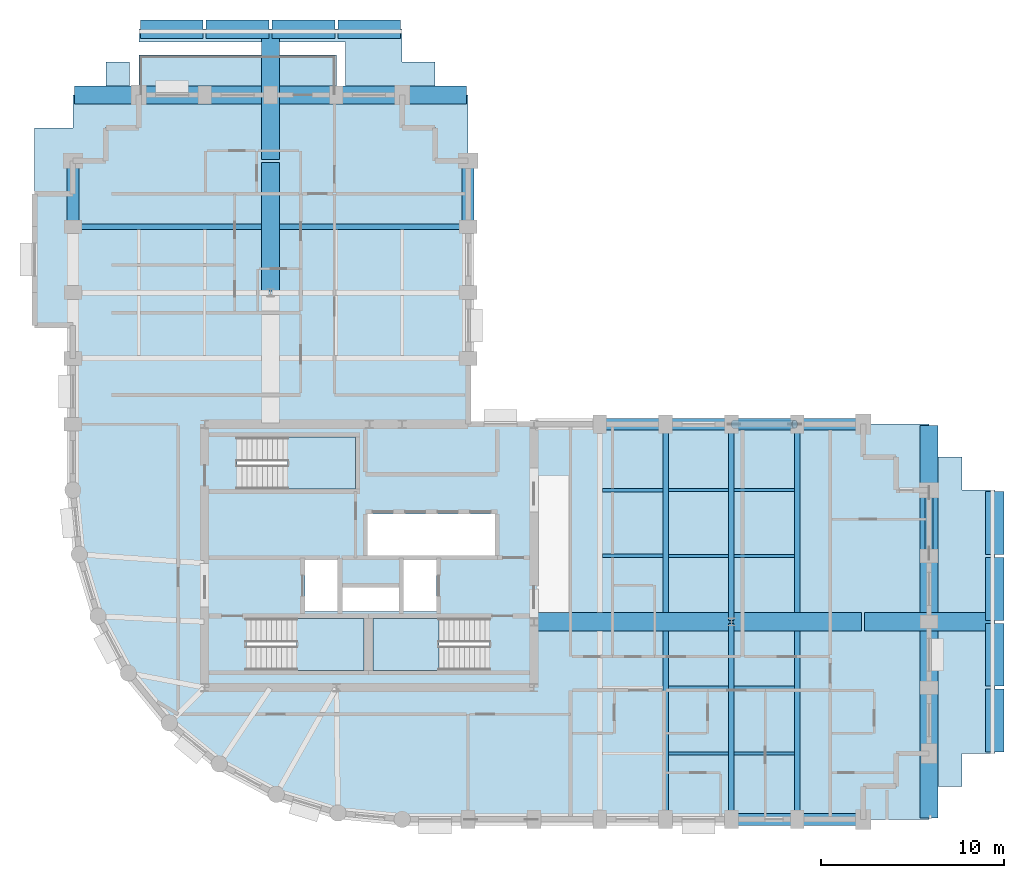
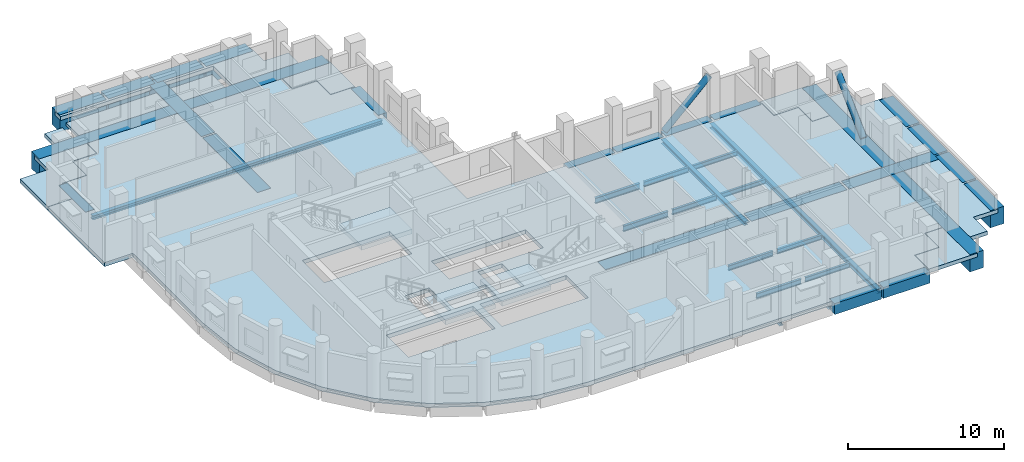
# One storey, part 2 of 10: 40 beams, 8 slabs, 2 members, 3 elements without a shape of their own.
"""IFC4 building model written with IfcOpenShell, lengths in metres."""

from ifc_helpers import new_model, si_unit, direction, frame, origin, origin_2d, place, context, subcontext, project, spatial, polyline, rectangle, hollow_circle, i_section, outline, extrude, material, layer, layer_set, material_profile, profile_set, type_object, element, aggregate, save


model = new_model("IFC4")

# Units and contexts
model_context = context("Model", 3, precision=1e-05, world=origin(), true_north=direction((0.0, 1.0)))
body_context = subcontext(model_context, "Body", "Model", "MODEL_VIEW")
ifc_project = project(units=[si_unit("LENGTHUNIT", "METRE"), si_unit("AREAUNIT", "SQUARE_METRE"), si_unit("VOLUMEUNIT", "CUBIC_METRE"), si_unit("PLANEANGLEUNIT", "RADIAN"), si_unit("MASSUNIT", "GRAM", prefix="KILO")], contexts=[model_context])

# Site, building, storey
site_placement = place(None, origin())
site = spatial("IfcSite", under=ifc_project, at=site_placement, CompositionType="ELEMENT")
building_placement = place(site_placement, origin())
building = spatial("IfcBuilding", under=site, at=building_placement, Name="Solnavia Interchange Tower", CompositionType="ELEMENT")
storey_placement = place(building_placement, frame((0.0, 0.0, 127.60009765625)))
storey = spatial("IfcBuildingStorey", under=building, at=storey_placement, Name="L31", CompositionType="ELEMENT", Elevation=127.60009765625)

# Beams
ifc_material_1 = material(Name="Steel S355", Category="steel")
ifc_material_profile_1 = material_profile(ifc_material_1, i_section(OverallWidth=0.169921875, OverallDepth=0.360107421875, WebThickness=0.008056640625, FlangeThickness=0.0126953125, FilletRadius=0.01806640625, at=origin_2d()), Name="IPE 360")
ifc_profile_set_1 = profile_set([ifc_material_profile_1], Name="Steel S355")
beam_type_1 = type_object("IfcBeamType", Name="Beam-Joist-IPE360", PredefinedType="JOIST", material=ifc_profile_set_1)
for number, where, z_axis, x_axis, name in (
    (1, (43.35009765625, 7.199951171875, -0.5), (1.0, 0.0, 0.0), (0.0, 1.0, 0.0), "JST-L31-E03 East wing secondary joist"),
    (2, (43.35009765625, 10.800048828125, -0.5), (1.0, 0.0, 0.0), (0.0, 1.0, 0.0), "JST-L31-E06 East wing secondary joist"),
    (3, (43.35009765625, 18.0, -0.5), (1.0, 0.0, 0.0), (0.0, 1.0, 0.0), "JST-L31-E09 East wing secondary joist"),
    (4, (43.35009765625, 21.60009765625, -0.5), (1.0, 0.0, 0.0), (0.0, 1.0, 0.0), "JST-L31-E12 East wing secondary joist"),
):
    element("IfcBeam", number, at=place(storey_placement, frame(where, z_axis=z_axis, x_axis=x_axis)), inside=storey, type_object=beam_type_1, Name=name, PredefinedType="JOIST", context=body_context, shape_type="SweptSolid", body=[
        extrude(i_section(OverallWidth=0.169921875, OverallDepth=0.360107421875, WebThickness=0.008056640625, FlangeThickness=0.0126953125, FilletRadius=0.01806640625, at=origin_2d()), origin(), (0.0, 0.0, 1.0), 3.2998046875),
    ])
ifc_material_profile_2 = material_profile(ifc_material_1, i_section(OverallWidth=0.179931640625, OverallDepth=0.39990234375, WebThickness=0.008544921875, FlangeThickness=0.013427734375, FilletRadius=0.02099609375, at=origin_2d()), Name="IPE 400")
ifc_profile_set_2 = profile_set([ifc_material_profile_2], Name="Steel S355")
beam_type_2 = type_object("IfcBeamType", Name="Beam-Joist-IPE400", PredefinedType="JOIST", material=ifc_profile_set_2)
for number, where, z_axis, x_axis, name in (
    (5, (39.75, 7.199951171875, -0.52001953125), (1.0, 0.0, 0.0), (0.0, 1.0, 0.0), "JST-L31-E02 East wing secondary joist"),
    (6, (39.75, 10.800048828125, -0.52001953125), (1.0, 0.0, 0.0), (0.0, 1.0, 0.0), "JST-L31-E05 East wing secondary joist"),
    (7, (39.75, 18.0, -0.52001953125), (1.0, 0.0, 0.0), (0.0, 1.0, 0.0), "JST-L31-E08 East wing secondary joist"),
    (8, (39.75, 21.60009765625, -0.52001953125), (1.0, 0.0, 0.0), (0.0, 1.0, 0.0), "JST-L31-E11 East wing secondary joist"),
):
    element("IfcBeam", number, at=place(storey_placement, frame(where, z_axis=z_axis, x_axis=x_axis)), inside=storey, type_object=beam_type_2, Name=name, PredefinedType="JOIST", context=body_context, shape_type="SweptSolid", body=[
        extrude(i_section(OverallWidth=0.179931640625, OverallDepth=0.39990234375, WebThickness=0.008544921875, FlangeThickness=0.013427734375, FilletRadius=0.02099609375, at=origin_2d()), origin(), (0.0, 0.0, 1.0), 3.300048828125),
    ])
ifc_material_profile_3 = material_profile(ifc_material_1, i_section(OverallWidth=0.18994140625, OverallDepth=0.449951171875, WebThickness=0.009521484375, FlangeThickness=0.0146484375, FilletRadius=0.02099609375, at=origin_2d()), Name="IPE 450")
ifc_profile_set_3 = profile_set([ifc_material_profile_3], Name="Steel S355")
beam_type_3 = type_object("IfcBeamType", Name="Beam-Joist-IPE450", PredefinedType="JOIST", material=ifc_profile_set_3)
for number, where, z_axis, x_axis, name in (
    (9, (36.14990234375, 18.0, -0.545166015625), (1.0, 0.0, 0.0), (0.0, 1.0, 0.0), "JST-L31-E07 East wing secondary joist"),
    (10, (36.14990234375, 21.60009765625, -0.545166015625), (1.0, 0.0, 0.0), (0.0, 1.0, 0.0), "JST-L31-E10 East wing secondary joist"),
):
    element("IfcBeam", number, at=place(storey_placement, frame(where, z_axis=z_axis, x_axis=x_axis)), inside=storey, type_object=beam_type_3, Name=name, PredefinedType="JOIST", context=body_context, shape_type="SweptSolid", body=[
        extrude(i_section(OverallWidth=0.18994140625, OverallDepth=0.449951171875, WebThickness=0.009521484375, FlangeThickness=0.0146484375, FilletRadius=0.02099609375, at=origin_2d()), origin(), (0.0, 0.0, 1.0), 3.300048828125),
    ])
ifc_material_profile_4 = material_profile(ifc_material_1, i_section(OverallWidth=0.300048828125, OverallDepth=0.31005859375, WebThickness=0.009033203125, FlangeThickness=0.015380859375, FilletRadius=0.027099609375, at=origin_2d()), Name="HEA 320")
ifc_profile_set_4 = profile_set([ifc_material_profile_4], Name="Steel S355")
beam_type_4 = type_object("IfcBeamType", Name="Beam-Primary-HEA320", PredefinedType="BEAM", material=ifc_profile_set_4)
for number, where, z_axis, x_axis, name in (
    (11, (43.199951171875, 3.679931640625, -0.47509765625), (0.0, 1.0, 0.0), (-1.0, 0.0, 0.0), "GRD-L31-EW03 East wing primary floor girder"),
    (12, (43.199951171875, 14.47998046875, -0.47509765625), (0.0, 1.0, 0.0), (-1.0, 0.0, 0.0), "GRD-L31-EW04 East wing primary floor girder"),
):
    element("IfcBeam", number, at=place(storey_placement, frame(where, z_axis=z_axis, x_axis=x_axis)), inside=storey, type_object=beam_type_4, Name=name, PredefinedType="BEAM", context=body_context, shape_type="SweptSolid", body=[
        extrude(i_section(OverallWidth=0.300048828125, OverallDepth=0.31005859375, WebThickness=0.009033203125, FlangeThickness=0.015380859375, FilletRadius=0.027099609375, at=origin_2d()), origin(), (0.0, 0.0, 1.0), 10.64013671875),
    ])
beam_1_placement = place(storey_placement, frame((7.280029296875, 36.0, -0.47509765625), z_axis=(1.0, 0.0, 0.0), x_axis=(0.0, 1.0, 0.0)))
element("IfcBeam", 13, at=beam_1_placement, inside=storey, type_object=beam_type_4, Name="GRD-L31-NW09 North wing primary floor girder", PredefinedType="BEAM", context=body_context, shape_type="SweptSolid", body=[
    extrude(i_section(OverallWidth=0.300048828125, OverallDepth=0.31005859375, WebThickness=0.009033203125, FlangeThickness=0.015380859375, FilletRadius=0.027099609375, at=origin_2d()), origin(), (0.0, 0.0, 1.0), 21.43994140625),
])
ifc_material_profile_5 = material_profile(ifc_material_1, i_section(OverallWidth=0.300048828125, OverallDepth=0.35009765625, WebThickness=0.010009765625, FlangeThickness=0.017578125, FilletRadius=0.027099609375, at=origin_2d()), Name="HEA 360")
ifc_profile_set_5 = profile_set([ifc_material_profile_5], Name="Steel S355")
beam_type_5 = type_object("IfcBeamType", Name="Beam-Primary-HEA360", PredefinedType="BEAM", material=ifc_profile_set_5)
for number, where, z_axis, x_axis, name in (
    (14, (39.60009765625, 3.679931640625, -0.4951171875), (0.0, 1.0, 0.0), (-1.0, 0.0, 0.0), "GRD-L31-EW02 East wing primary floor girder"),
    (15, (46.800048828125, 3.679931640625, -0.4951171875), (0.0, 1.0, 0.0), (-1.0, 0.0, 0.0), "GRD-L31-EW05 East wing primary floor girder"),
):
    element("IfcBeam", number, at=place(storey_placement, frame(where, z_axis=z_axis, x_axis=x_axis)), inside=storey, type_object=beam_type_5, Name=name, PredefinedType="BEAM", context=body_context, shape_type="SweptSolid", body=[
        extrude(i_section(OverallWidth=0.300048828125, OverallDepth=0.35009765625, WebThickness=0.010009765625, FlangeThickness=0.017578125, FilletRadius=0.027099609375, at=origin_2d()), origin(), (0.0, 0.0, 1.0), 21.440185546875),
    ])
ifc_material_2 = material(Name="Concrete C50/60", Category="concrete")
ifc_material_profile_6 = material_profile(ifc_material_2, rectangle(XDim=0.64990234375, YDim=0.85009765625, at=origin_2d()), Name="RC 650x850")
ifc_profile_set_6 = profile_set([ifc_material_profile_6], Name="Concrete C50/60")
beam_type_6 = type_object("IfcBeamType", Name="Beam-Spandrel-RC650x850", PredefinedType="SPANDREL", material=ifc_profile_set_6)
beam_2_placement = place(storey_placement, frame((43.280029296875, 3.60009765625, -0.425048828125), z_axis=(1.0, 0.0, 0.0), x_axis=(0.0, 1.0, 0.0)))
element("IfcBeam", 16, at=beam_2_placement, inside=storey, type_object=beam_type_6, Name="SPB-L31-14 Framed-tube perimeter spandrel beam", PredefinedType="SPANDREL", context=body_context, shape_type="SweptSolid", body=[
    extrude(rectangle(XDim=0.64990234375, YDim=0.85009765625, at=origin_2d()), origin(), (0.0, 0.0, 1.0), 3.43994140625),
])
for number, where, z_axis, x_axis, name in (
    (17, (46.8798828125, 3.60009765625, -0.425048828125), (1.0, 0.0, 0.0), (0.0, 1.0, 0.0), "SPB-L31-15 Framed-tube perimeter spandrel beam"),
    (18, (50.320068359375, 25.199951171875, -0.425048828125), (-1.0, 0.0, 0.0), (0.0, -1.0, 0.0), "SPB-L31-16 Framed-tube perimeter spandrel beam"),
):
    element("IfcBeam", number, at=place(storey_placement, frame(where, z_axis=z_axis, x_axis=x_axis)), inside=storey, type_object=beam_type_6, Name=name, PredefinedType="SPANDREL", context=body_context, shape_type="SweptSolid", body=[
        extrude(rectangle(XDim=0.64990234375, YDim=0.85009765625, at=origin_2d()), origin(), (0.0, 0.0, 1.0), 3.440185546875),
    ])
beam_3_placement = place(storey_placement, frame((46.719970703125, 25.199951171875, -0.425048828125), z_axis=(-1.0, 0.0, 0.0), x_axis=(0.0, -1.0, 0.0)))
element("IfcBeam", 19, at=beam_3_placement, inside=storey, type_object=beam_type_6, Name="SPB-L31-17 Framed-tube perimeter spandrel beam", PredefinedType="SPANDREL", context=body_context, shape_type="SweptSolid", body=[
    extrude(rectangle(XDim=0.64990234375, YDim=0.85009765625, at=origin_2d()), origin(), (0.0, 0.0, 1.0), 3.43994140625),
])
beam_4_placement = place(storey_placement, frame((43.1201171875, 25.199951171875, -0.425048828125), z_axis=(-1.0, 0.0, 0.0), x_axis=(0.0, -1.0, 0.0)))
element("IfcBeam", 20, at=beam_4_placement, inside=storey, type_object=beam_type_6, Name="SPB-L31-18 Framed-tube perimeter spandrel beam", PredefinedType="SPANDREL", context=body_context, shape_type="SweptSolid", body=[
    extrude(rectangle(XDim=0.64990234375, YDim=0.85009765625, at=origin_2d()), origin(), (0.0, 0.0, 1.0), 3.440185546875),
])
for number, where, z_axis, x_axis, name in (
    (21, (39.52001953125, 25.199951171875, -0.425048828125), (-1.0, 0.0, 0.0), (0.0, -1.0, 0.0), "SPB-L31-19 Framed-tube perimeter spandrel beam"),
    (22, (28.800048828125, 36.080078125, -0.425048828125), (0.0, 1.0, 0.0), (-1.0, 0.0, 0.0), "SPB-L31-23 Framed-tube perimeter spandrel beam"),
    (23, (7.199951171875, 39.52001953125, -0.425048828125), (0.0, -1.0, 0.0), (1.0, 0.0, 0.0), "SPB-L31-24 Framed-tube perimeter spandrel beam"),
):
    element("IfcBeam", number, at=place(storey_placement, frame(where, z_axis=z_axis, x_axis=x_axis)), inside=storey, type_object=beam_type_6, Name=name, PredefinedType="SPANDREL", context=body_context, shape_type="SweptSolid", body=[
        extrude(rectangle(XDim=0.64990234375, YDim=0.85009765625, at=origin_2d()), origin(), (0.0, 0.0, 1.0), 3.43994140625),
    ])
ifc_material_3 = material(Name="Concrete C60/75", Category="concrete")
ifc_material_profile_7 = material_profile(ifc_material_3, rectangle(XDim=1.0, YDim=1.35009765625, at=origin_2d()), Name="RC 1000x1350")
ifc_profile_set_7 = profile_set([ifc_material_profile_7], Name="Concrete C60/75")
beam_type_7 = type_object("IfcBeamType", Name="Beam-Transfer-RC1000x1350", PredefinedType="BEAM", material=ifc_profile_set_7)
beam_5_placement = place(storey_placement, frame((32.47998046875, 14.39990234375, -0.675048828125), z_axis=(1.0, 0.0, 0.0), x_axis=(0.0, 1.0, 0.0)))
element("IfcBeam", 24, at=beam_5_placement, inside=storey, type_object=beam_type_7, Name="TRB-L31-01 East setback spine transfer girder", PredefinedType="BEAM", context=body_context, shape_type="SweptSolid", body=[
    extrude(rectangle(XDim=1.0, YDim=1.35009765625, at=origin_2d()), origin(), (0.0, 0.0, 1.0), 10.64013671875),
])
for number, where, z_axis, x_axis, name in (
    (25, (43.280029296875, 14.39990234375, -0.675048828125), (1.0, 0.0, 0.0), (0.0, 1.0, 0.0), "TRB-L31-02 East setback spine transfer girder"),
    (26, (50.47998046875, 14.39990234375, -0.675048828125), (1.0, 0.0, 0.0), (0.0, 1.0, 0.0), "TRB-L31-03 East setback spine transfer girder"),
):
    element("IfcBeam", number, at=place(storey_placement, frame(where, z_axis=z_axis, x_axis=x_axis)), inside=storey, type_object=beam_type_7, Name=name, PredefinedType="BEAM", context=body_context, shape_type="SweptSolid", body=[
        extrude(rectangle(XDim=1.0, YDim=1.35009765625, at=origin_2d()), origin(), (0.0, 0.0, 1.0), 7.0400390625),
    ])
for number, where, z_axis, x_axis, name in (
    (27, (54.0, 3.679931640625, -0.675048828125), (0.0, 1.0, 0.0), (-1.0, 0.0, 0.0), "TRB-L31-04 East setback perimeter transfer girder"),
    (28, (54.0, 14.47998046875, -0.675048828125), (0.0, 1.0, 0.0), (-1.0, 0.0, 0.0), "TRB-L31-05 East setback perimeter transfer girder"),
):
    element("IfcBeam", number, at=place(storey_placement, frame(where, z_axis=z_axis, x_axis=x_axis)), inside=storey, type_object=beam_type_7, Name=name, PredefinedType="BEAM", context=body_context, shape_type="SweptSolid", body=[
        extrude(rectangle(XDim=1.0, YDim=1.35009765625, at=origin_2d()), origin(), (0.0, 0.0, 1.0), 10.64013671875),
    ])
beam_6_placement = place(storey_placement, frame((57.60009765625, 7.280029296875, -0.675048828125), z_axis=(0.0, 1.0, 0.0), x_axis=(-1.0, 0.0, 0.0)))
element("IfcBeam", 29, at=beam_6_placement, inside=storey, type_object=beam_type_7, Name="TRB-L31-06 East setback ledge edge beam", PredefinedType="BEAM", context=body_context, shape_type="SweptSolid", body=[
    extrude(rectangle(XDim=1.0, YDim=1.35009765625, at=origin_2d()), origin(), (0.0, 0.0, 1.0), 3.43994140625),
])
beam_7_placement = place(storey_placement, frame((57.60009765625, 10.8798828125, -0.675048828125), z_axis=(0.0, 1.0, 0.0), x_axis=(-1.0, 0.0, 0.0)))
element("IfcBeam", 30, at=beam_7_placement, inside=storey, type_object=beam_type_7, Name="TRB-L31-07 East setback ledge edge beam", PredefinedType="BEAM", context=body_context, shape_type="SweptSolid", body=[
    extrude(rectangle(XDim=1.0, YDim=1.35009765625, at=origin_2d()), origin(), (0.0, 0.0, 1.0), 3.440185546875),
])
for number, where, z_axis, x_axis, name in (
    (31, (57.60009765625, 14.47998046875, -0.675048828125), (0.0, 1.0, 0.0), (-1.0, 0.0, 0.0), "TRB-L31-08 East setback ledge edge beam"),
    (32, (57.60009765625, 18.080078125, -0.675048828125), (0.0, 1.0, 0.0), (-1.0, 0.0, 0.0), "TRB-L31-09 East setback ledge edge beam"),
):
    element("IfcBeam", number, at=place(storey_placement, frame(where, z_axis=z_axis, x_axis=x_axis)), inside=storey, type_object=beam_type_7, Name=name, PredefinedType="BEAM", context=body_context, shape_type="SweptSolid", body=[
        extrude(rectangle(XDim=1.0, YDim=1.35009765625, at=origin_2d()), origin(), (0.0, 0.0, 1.0), 3.43994140625),
    ])
for number, where, z_axis, x_axis, name in (
    (33, (18.0, 32.47998046875, -0.675048828125), (0.0, 1.0, 0.0), (-1.0, 0.0, 0.0), "TRB-L31-11 North setback spine transfer girder"),
    (34, (18.0, 39.679931640625, -0.675048828125), (0.0, 1.0, 0.0), (-1.0, 0.0, 0.0), "TRB-L31-12 North setback spine transfer girder"),
):
    element("IfcBeam", number, at=place(storey_placement, frame(where, z_axis=z_axis, x_axis=x_axis)), inside=storey, type_object=beam_type_7, Name=name, PredefinedType="BEAM", context=body_context, shape_type="SweptSolid", body=[
        extrude(rectangle(XDim=1.0, YDim=1.35009765625, at=origin_2d()), origin(), (0.0, 0.0, 1.0), 7.0400390625),
    ])
for number, where, z_axis, x_axis, name in (
    (35, (7.280029296875, 43.199951171875, -0.675048828125), (1.0, 0.0, 0.0), (0.0, 1.0, 0.0), "TRB-L31-13 North setback perimeter transfer girder"),
    (36, (18.080078125, 43.199951171875, -0.675048828125), (1.0, 0.0, 0.0), (0.0, 1.0, 0.0), "TRB-L31-14 North setback perimeter transfer girder"),
):
    element("IfcBeam", number, at=place(storey_placement, frame(where, z_axis=z_axis, x_axis=x_axis)), inside=storey, type_object=beam_type_7, Name=name, PredefinedType="BEAM", context=body_context, shape_type="SweptSolid", body=[
        extrude(rectangle(XDim=1.0, YDim=1.35009765625, at=origin_2d()), origin(), (0.0, 0.0, 1.0), 10.639892578125),
    ])
beam_8_placement = place(storey_placement, frame((10.8798828125, 46.800048828125, -0.675048828125), z_axis=(1.0, 0.0, 0.0), x_axis=(0.0, 1.0, 0.0)))
element("IfcBeam", 37, at=beam_8_placement, inside=storey, type_object=beam_type_7, Name="TRB-L31-15 North setback ledge edge beam", PredefinedType="BEAM", context=body_context, shape_type="SweptSolid", body=[
    extrude(rectangle(XDim=1.0, YDim=1.35009765625, at=origin_2d()), origin(), (0.0, 0.0, 1.0), 3.440185546875),
])
for number, where, z_axis, x_axis, name in (
    (38, (14.47998046875, 46.800048828125, -0.675048828125), (1.0, 0.0, 0.0), (0.0, 1.0, 0.0), "TRB-L31-16 North setback ledge edge beam"),
    (39, (18.080078125, 46.800048828125, -0.675048828125), (1.0, 0.0, 0.0), (0.0, 1.0, 0.0), "TRB-L31-17 North setback ledge edge beam"),
):
    element("IfcBeam", number, at=place(storey_placement, frame(where, z_axis=z_axis, x_axis=x_axis)), inside=storey, type_object=beam_type_7, Name=name, PredefinedType="BEAM", context=body_context, shape_type="SweptSolid", body=[
        extrude(rectangle(XDim=1.0, YDim=1.35009765625, at=origin_2d()), origin(), (0.0, 0.0, 1.0), 3.43994140625),
    ])
beam_9_placement = place(storey_placement, frame((21.679931640625, 46.800048828125, -0.675048828125), z_axis=(1.0, 0.0, 0.0), x_axis=(0.0, 1.0, 0.0)))
element("IfcBeam", 40, at=beam_9_placement, inside=storey, type_object=beam_type_7, Name="TRB-L31-18 North setback ledge edge beam", PredefinedType="BEAM", context=body_context, shape_type="SweptSolid", body=[
    extrude(rectangle(XDim=1.0, YDim=1.35009765625, at=origin_2d()), origin(), (0.0, 0.0, 1.0), 3.440185546875),
])

# Members
ifc_material_4 = material(Name="Steel S460", Category="steel")
ifc_material_profile_8 = material_profile(ifc_material_4, hollow_circle(Radius=0.228515625, WallThickness=0.02001953125, at=origin_2d()), Name="CHS 457x20")
ifc_profile_set_8 = profile_set([ifc_material_profile_8], Name="Steel S460")
member_type = type_object("IfcMemberType", Name="Brace-Perim-CHS457", PredefinedType="BRACE", material=ifc_profile_set_8)
member_1_placement = place(storey_placement, frame((54.0, 18.139892578125, 0.179931640625), z_axis=(0.0, 0.721096918576, 0.692834203847), x_axis=(-1.0, 0.0, 0.0)))
element("IfcMember", 41, at=member_1_placement, inside=storey, type_object=member_type, Name="BRC-L31-02 Perimeter tube diagonal brace", PredefinedType="BRACE", context=body_context, shape_type="SweptSolid", body=[
    extrude(hollow_circle(Radius=0.228515625, WallThickness=0.02001953125, at=origin_2d()), origin(), (0.0, 0.0, 1.0), 4.604248046875),
])
member_2_placement = place(storey_placement, frame((43.340087890625, 25.199951171875, 0.179931640625), z_axis=(0.721071463745, 0.0, 0.69286069608), x_axis=(0.0, 1.0, 0.0)))
element("IfcMember", 42, at=member_2_placement, inside=storey, type_object=member_type, Name="BRC-L31-03 Perimeter tube diagonal brace", PredefinedType="BRACE", context=body_context, shape_type="SweptSolid", body=[
    extrude(hollow_circle(Radius=0.228515625, WallThickness=0.02001953125, at=origin_2d()), origin(), (0.0, 0.0, 1.0), 4.60400390625),
])

# Slabs
ifc_material_5 = material(Name="Concrete C40/50", Category="concrete")
ifc_layer_1 = layer(ifc_material_5, 0.300048828125)
ifc_layer_set_1 = layer_set([ifc_layer_1], Name="Concrete C40/50")
slab_type_1 = type_object("IfcSlabType", Name="Slab-Roof-300", PredefinedType="ROOF", material=ifc_layer_set_1)
slab_1_placement = place(storey_placement, frame((0.0, 0.0, -0.300048828125)))
element("IfcSlab", 43, at=slab_1_placement, inside=storey, type_object=slab_type_1, Name="ROF-L31-01 Setback maintenance roof slab", PredefinedType="ROOF", context=body_context, shape_type="SweptSolid", body=[
    extrude(outline(polyline([(54.0, 23.39990234375), (55.800048828125, 23.39990234375), (55.800048828125, 21.60009765625), (57.60009765625, 21.60009765625), (57.60009765625, 7.199951171875), (55.800048828125, 7.199951171875), (55.800048828125, 5.39990234375), (54.0, 5.39990234375), (54.0, 3.60009765625), (50.419921875, 3.60009765625), (50.419921875, 5.3798828125), (52.219970703125, 5.3798828125), (52.219970703125, 7.179931640625), (54.02001953125, 7.179931640625), (54.02001953125, 21.6201171875), (52.219970703125, 21.6201171875), (52.219970703125, 23.419921875), (50.419921875, 23.419921875), (50.419921875, 25.199951171875), (54.0, 25.199951171875), (54.0, 23.39990234375)])), origin(), (0.0, 0.0, 1.0), 0.300048828125),
])
slab_2_placement = place(storey_placement, frame((0.0, 0.0, -0.300048828125)))
element("IfcSlab", 44, at=slab_2_placement, inside=storey, type_object=slab_type_1, Name="ROF-L31-02 Setback maintenance roof slab", PredefinedType="ROOF", context=body_context, shape_type="SweptSolid", body=[
    extrude(outline(polyline([(10.800048828125, 46.800048828125), (25.199951171875, 46.800048828125), (25.199951171875, 45.0), (27.0, 45.0), (27.0, 43.199951171875), (28.800048828125, 43.199951171875), (28.800048828125, 39.6201171875), (27.02001953125, 39.6201171875), (27.02001953125, 41.419921875), (25.219970703125, 41.419921875), (25.219970703125, 43.219970703125), (22.10009765625, 43.219970703125), (22.10009765625, 46.10009765625), (10.800048828125, 46.10009765625), (10.800048828125, 46.800048828125)])), origin(), (0.0, 0.0, 1.0), 0.300048828125),
])
slab_3_placement = place(storey_placement, frame((0.0, 0.0, -0.300048828125)))
element("IfcSlab", 45, at=slab_3_placement, inside=storey, type_object=slab_type_1, Name="ROF-L31-03 Setback maintenance roof slab", PredefinedType="ROOF", context=body_context, shape_type="SweptSolid", body=[
    extrude(outline(polyline([(7.199951171875, 41.39990234375), (7.199951171875, 43.199951171875), (9.0, 43.199951171875), (9.0, 45.0), (10.300048828125, 45.0), (10.300048828125, 42.699951171875), (10.780029296875, 42.699951171875), (10.780029296875, 41.419921875), (8.97998046875, 41.419921875), (8.97998046875, 39.6201171875), (7.179931640625, 39.6201171875), (7.179931640625, 37.820068359375), (5.10009765625, 37.820068359375), (5.10009765625, 41.39990234375), (7.199951171875, 41.39990234375)])), origin(), (0.0, 0.0, 1.0), 0.300048828125),
])
ifc_layer_2 = layer(ifc_material_5, 0.320068359375)
ifc_layer_set_2 = layer_set([ifc_layer_2], Name="Concrete C40/50")
slab_type_2 = type_object("IfcSlabType", Name="Slab-Special-320", PredefinedType="FLOOR", material=ifc_layer_set_2)
slab_4_placement = place(storey_placement, frame((0.0, 0.0, -0.320068359375)))
element("IfcSlab", 46, at=slab_4_placement, inside=storey, type_object=slab_type_2, Name="SLB-L31-01 Structural floor slab", PredefinedType="FLOOR", context=body_context, shape_type="SweptSolid", body=[
    extrude(outline(polyline([(25.199951171875, 3.60009765625), (50.39990234375, 3.60009765625), (50.39990234375, 5.39990234375), (52.199951171875, 5.39990234375), (52.199951171875, 7.199951171875), (54.0, 7.199951171875), (54.0, 21.60009765625), (52.199951171875, 21.60009765625), (52.199951171875, 23.39990234375), (50.39990234375, 23.39990234375), (50.39990234375, 25.199951171875), (28.800048828125, 25.199951171875), (28.800048828125, 39.60009765625), (27.0, 39.60009765625), (27.0, 41.39990234375), (25.199951171875, 41.39990234375), (25.199951171875, 43.199951171875), (10.800048828125, 43.199951171875), (10.800048828125, 41.39990234375), (9.0, 41.39990234375), (9.0, 39.60009765625), (7.199951171875, 39.60009765625), (7.199951171875, 37.800048828125), (5.10009765625, 37.800048828125), (5.10009765625, 30.60009765625), (7.199951171875, 30.60009765625), (7.199951171875, 21.60009765625), (7.5458984375, 18.087890625), (8.570068359375, 14.7119140625), (10.23388671875, 11.60009765625), (12.471923828125, 8.8720703125), (15.199951171875, 6.634033203125), (18.31201171875, 4.969970703125), (21.68798828125, 3.946044921875), (25.199951171875, 3.60009765625)]), holes=[polyline([(16.675048828125, 11.75), (23.10009765625, 11.75), (23.10009765625, 14.590087890625), (16.675048828125, 14.590087890625), (16.675048828125, 11.75)]), polyline([(23.60009765625, 11.75), (29.97509765625, 11.75), (29.97509765625, 14.590087890625), (23.60009765625, 14.590087890625), (23.60009765625, 11.75)]), polyline([(16.175048828125, 21.64990234375), (22.64990234375, 21.64990234375), (22.64990234375, 24.489990234375), (16.175048828125, 24.489990234375), (16.175048828125, 21.64990234375)]), polyline([(19.8798828125, 14.9599609375), (21.679931640625, 14.9599609375), (21.679931640625, 17.780029296875), (19.8798828125, 17.780029296875), (19.8798828125, 14.9599609375)]), polyline([(25.280029296875, 14.9599609375), (27.080078125, 14.9599609375), (27.080078125, 17.780029296875), (25.280029296875, 17.780029296875), (25.280029296875, 14.9599609375)]), polyline([(21.919921875, 14.9599609375), (25.02001953125, 14.9599609375), (25.02001953125, 16.280029296875), (21.919921875, 16.280029296875), (21.919921875, 14.9599609375)]), polyline([(23.300048828125, 18.02001953125), (30.280029296875, 18.02001953125), (30.280029296875, 20.300048828125), (23.300048828125, 20.300048828125), (23.300048828125, 18.02001953125)])]), origin(), (0.0, 0.0, 1.0), 0.320068359375),
])

# Stair, slab
stair_type = type_object("IfcStairType", Name="Stair-Dogleg-RC", PredefinedType="HALF_TURN_STAIR", material=ifc_material_5)
stair_1_placement = place(storey_placement, origin())
stair_1 = element("IfcStair", 47, at=stair_1_placement, inside=storey, type_object=stair_type, Name="L31 Core exit stair 1", PredefinedType="HALF_TURN_STAIR")
ifc_layer_3 = layer(ifc_material_5, 0.35009765625)
ifc_layer_set_3 = layer_set([ifc_layer_3], Name="Concrete C40/50")
slab_type_3 = type_object("IfcSlabType", Name="Slab-StairLanding-350", PredefinedType="LANDING", material=ifc_layer_set_3)
slab_5_placement = place(storey_placement, frame((0.0, 0.0, 1.5498046875)))
slab_5 = element("IfcSlab", 48, at=slab_5_placement, type_object=slab_type_3, Name="ST-1 landing 1", PredefinedType="LANDING", context=body_context, shape_type="SweptSolid", body=[
    extrude(outline(polyline([(19.427978515625, 11.75), (23.10009765625, 11.75), (23.10009765625, 14.590087890625), (19.427978515625, 14.590087890625), (19.427978515625, 11.75)])), origin(), (0.0, 0.0, 1.0), 0.35009765625),
])
aggregate(stair_1, [slab_5])

stair_2_placement = place(storey_placement, origin())
stair_2 = element("IfcStair", 49, at=stair_2_placement, inside=storey, type_object=stair_type, Name="L31 Core exit stair 2", PredefinedType="HALF_TURN_STAIR")
slab_6_placement = place(storey_placement, frame((0.0, 0.0, 1.5498046875)))
slab_6 = element("IfcSlab", 50, at=slab_6_placement, type_object=slab_type_3, Name="ST-2 landing 1", PredefinedType="LANDING", context=body_context, shape_type="SweptSolid", body=[
    extrude(outline(polyline([(23.60009765625, 11.75), (27.221923828125, 11.75), (27.221923828125, 14.590087890625), (23.60009765625, 14.590087890625), (23.60009765625, 11.75)])), origin(), (0.0, 0.0, 1.0), 0.35009765625),
])
aggregate(stair_2, [slab_6])

stair_3_placement = place(storey_placement, origin())
stair_3 = element("IfcStair", 51, at=stair_3_placement, inside=storey, type_object=stair_type, Name="L31 Core exit stair 3", PredefinedType="HALF_TURN_STAIR")
slab_7_placement = place(storey_placement, frame((0.0, 0.0, 1.5498046875)))
slab_7 = element("IfcSlab", 52, at=slab_7_placement, type_object=slab_type_3, Name="ST-3 landing 1", PredefinedType="LANDING", context=body_context, shape_type="SweptSolid", body=[
    extrude(outline(polyline([(18.927978515625, 21.64990234375), (22.64990234375, 21.64990234375), (22.64990234375, 24.489990234375), (18.927978515625, 24.489990234375), (18.927978515625, 21.64990234375)])), origin(), (0.0, 0.0, 1.0), 0.35009765625),
])
aggregate(stair_3, [slab_7])

# Slab
ifc_layer_4 = layer(ifc_material_5, 0.219970703125)
ifc_layer_set_4 = layer_set([ifc_layer_4], Name="Concrete C40/50")
slab_type_4 = type_object("IfcSlabType", Name="Slab-Terrace-220", PredefinedType="FLOOR", material=ifc_layer_set_4)
slab_8_placement = place(storey_placement, frame((0.0, 0.0, -0.260009765625)))
element("IfcSlab", 53, at=slab_8_placement, inside=storey, type_object=slab_type_4, Name="TER-L31-01 Outdoor spiral terrace slab", PredefinedType="FLOOR", context=body_context, shape_type="SweptSolid", body=[
    extrude(outline(polyline([(10.800048828125, 43.199951171875), (21.60009765625, 43.199951171875), (21.60009765625, 45.39990234375), (10.800048828125, 45.39990234375), (10.800048828125, 43.199951171875)])), origin(), (0.0, 0.0, 1.0), 0.219970703125),
])

save(model, "model.ifc")
